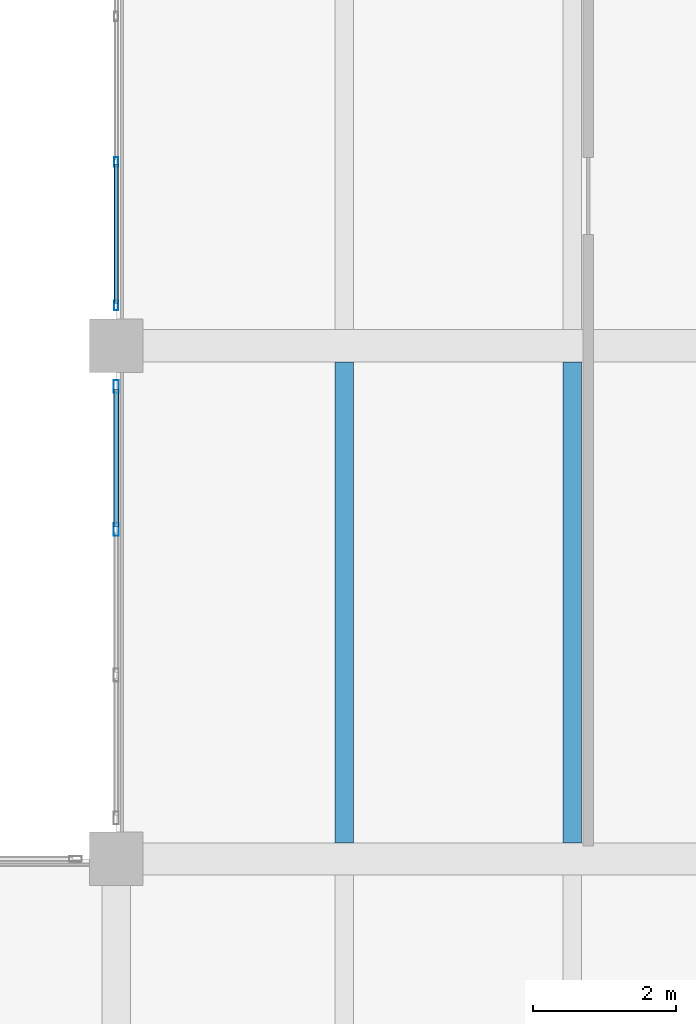
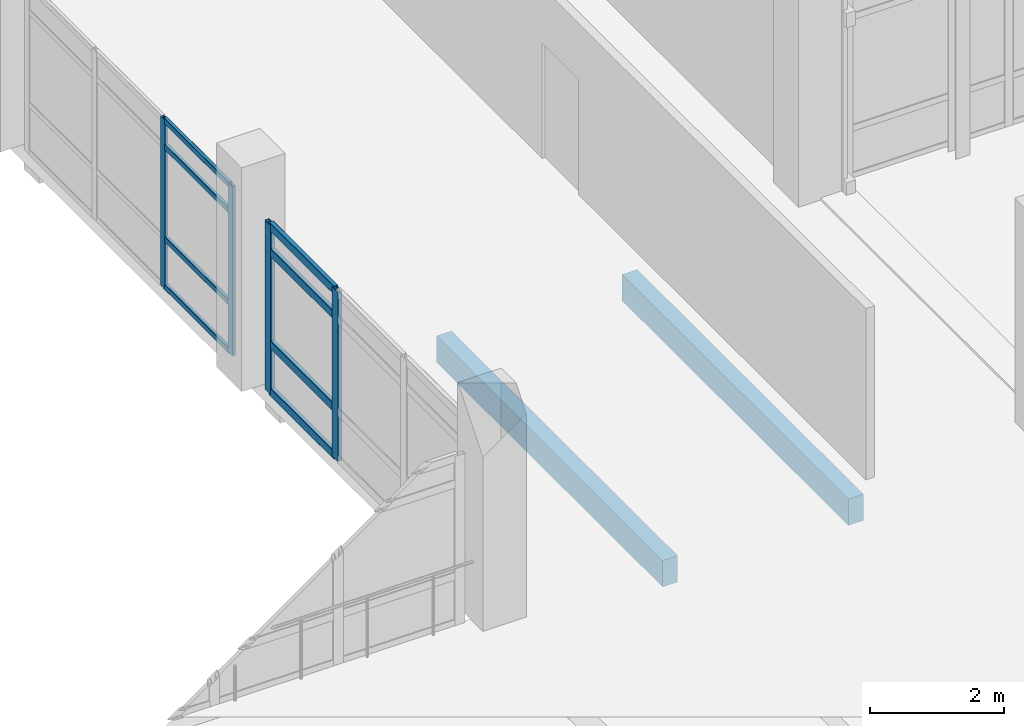
# One storey, part 103 of 180: 12 members, 2 beams, 2 elements without a shape of their own.
"""IFC4 building model written with IfcOpenShell, lengths in metres."""

from ifc_helpers import new_model, si_unit, direction, frame, origin, origin_2d, place, context, subcontext, project, spatial, rectangle, hollow_rectangle, extrude, material, layer, layer_set, material_profile, profile_set, type_object, element, aggregate, save


model = new_model("IFC4")

# Units and contexts
model_context = context("Model", 3, precision=1e-05, world=origin(), true_north=direction((0.0, 1.0)))
body_context = subcontext(model_context, "Body", "Model", "MODEL_VIEW")
ifc_project = project(units=[si_unit("LENGTHUNIT", "METRE"), si_unit("AREAUNIT", "SQUARE_METRE"), si_unit("VOLUMEUNIT", "CUBIC_METRE"), si_unit("PLANEANGLEUNIT", "RADIAN"), si_unit("MASSUNIT", "GRAM", prefix="KILO")], contexts=[model_context])

# Site, building, storey
site_placement = place(None, origin())
site = spatial("IfcSite", under=ifc_project, at=site_placement, CompositionType="ELEMENT")
building_placement = place(site_placement, origin())
building = spatial("IfcBuilding", under=site, at=building_placement, Name="Asteropetra Specialist Clinic", CompositionType="ELEMENT")
storey_placement = place(building_placement, frame((0.0, 0.0, 4.419921875)))
storey = spatial("IfcBuildingStorey", under=building, at=storey_placement, Name="L01", CompositionType="ELEMENT", Elevation=4.419921875)

# Curtain wall, members
ifc_material_1 = material(Name="Aluminium and low-E glass", Category="aluminium")
ifc_layer_1 = layer(ifc_material_1, 0.179931640625)
ifc_layer_set_1 = layer_set([ifc_layer_1], Name="Aluminium and low-E glass")
curtain_wall_type_1 = type_object("IfcCurtainWallType", Name="CW-SYS-07", PredefinedType="USERDEFINED", material=ifc_layer_set_1)
curtain_wall_1_placement = place(storey_placement, origin())
curtain_wall_1 = element("IfcCurtainWall", 1, at=curtain_wall_1_placement, inside=storey, type_object=curtain_wall_type_1, Name="Curtain Wall CW-032", ObjectType="STICK GLAZED COLONNADE", PredefinedType="USERDEFINED")
ifc_material_2 = material(Name="Aluminium 6063-T6", Category="aluminium")
ifc_material_profile_1 = material_profile(ifc_material_2, hollow_rectangle(XDim=0.06005859375, YDim=0.135009765625, WallThickness=0.00341796875, InnerFilletRadius=0.00341796875, OuterFilletRadius=0.007080078125, at=origin_2d()), Name="MUL 135x60x3.5")
ifc_profile_set_1 = profile_set([ifc_material_profile_1], Name="Aluminium 6063-T6")
member_type_1 = type_object("IfcMemberType", Name="CWM-135x60", PredefinedType="MULLION", material=ifc_profile_set_1)
member_1_placement = place(storey_placement, frame((67.199951171875, 84.56494140625, 0.0), z_axis=(0.0, 0.0, 1.0), x_axis=(-1.0, 0.0, 0.0)))
member_1 = element("IfcMember", 2, at=member_1_placement, type_object=member_type_1, Name="CW-032 mullion 1", PredefinedType="MULLION", context=body_context, shape_type="SweptSolid", body=[
    extrude(hollow_rectangle(XDim=0.06005859375, YDim=0.135009765625, WallThickness=0.00341796875, InnerFilletRadius=0.00341796875, OuterFilletRadius=0.007080078125, at=origin_2d()), origin(), (0.0, 0.0, 1.0), 3.080078125),
])
member_2_placement = place(storey_placement, frame((67.199951171875, 86.578369140625, 0.0), z_axis=(0.0, 0.0, 1.0), x_axis=(-1.0, 0.0, 0.0)))
member_2 = element("IfcMember", 3, at=member_2_placement, type_object=member_type_1, Name="CW-032 mullion 2", PredefinedType="MULLION", context=body_context, shape_type="SweptSolid", body=[
    extrude(hollow_rectangle(XDim=0.06005859375, YDim=0.135009765625, WallThickness=0.00341796875, InnerFilletRadius=0.00341796875, OuterFilletRadius=0.007080078125, at=origin_2d()), origin(), (0.0, 0.0, 1.0), 3.080078125),
])

ifc_material_3 = material(Name="Aluminium and low-E glass", Category="aluminium")
ifc_layer_2 = layer(ifc_material_3, 0.135009765625)
ifc_layer_set_2 = layer_set([ifc_layer_2], Name="Aluminium and low-E glass")
curtain_wall_type_2 = type_object("IfcCurtainWallType", Name="CW-SYS-06", PredefinedType="USERDEFINED", material=ifc_layer_set_2)
curtain_wall_2_placement = place(storey_placement, origin())
curtain_wall_2 = element("IfcCurtainWall", 4, at=curtain_wall_2_placement, inside=storey, type_object=curtain_wall_type_2, Name="Curtain Wall CW-030", ObjectType="UNITISED CURTAIN WALL", PredefinedType="USERDEFINED")
ifc_material_4 = material(Name="Aluminium 6063-T6", Category="aluminium")
ifc_material_profile_2 = material_profile(ifc_material_4, hollow_rectangle(XDim=0.074951171875, YDim=0.179931640625, WallThickness=0.00390625, InnerFilletRadius=0.00390625, OuterFilletRadius=0.008056640625, at=origin_2d()), Name="MUL 180x75x4.0")
ifc_profile_set_2 = profile_set([ifc_material_profile_2], Name="Aluminium 6063-T6")
member_type_2 = type_object("IfcMemberType", Name="CWM-180x75", PredefinedType="MULLION", material=ifc_profile_set_2)
member_3_placement = place(storey_placement, frame((67.199951171875, 81.421630859375, 0.0), z_axis=(0.0, 0.0, 1.0), x_axis=(-1.0, 0.0, 0.0)))
member_3 = element("IfcMember", 5, at=member_3_placement, type_object=member_type_2, Name="CW-030 mullion 3", PredefinedType="MULLION", context=body_context, shape_type="SweptSolid", body=[
    extrude(hollow_rectangle(XDim=0.074951171875, YDim=0.179931640625, WallThickness=0.00390625, InnerFilletRadius=0.00390625, OuterFilletRadius=0.008056640625, at=origin_2d()), origin(), (0.0, 0.0, 1.0), 3.080078125),
])
member_4_placement = place(storey_placement, frame((67.199951171875, 83.427490234375, 0.0), z_axis=(0.0, 0.0, 1.0), x_axis=(-1.0, 0.0, 0.0)))
member_4 = element("IfcMember", 6, at=member_4_placement, type_object=member_type_2, Name="CW-030 mullion 4", PredefinedType="MULLION", context=body_context, shape_type="SweptSolid", body=[
    extrude(hollow_rectangle(XDim=0.074951171875, YDim=0.179931640625, WallThickness=0.00390625, InnerFilletRadius=0.00390625, OuterFilletRadius=0.008056640625, at=origin_2d()), origin(), (0.0, 0.0, 1.0), 3.080078125),
])

# Member
ifc_material_5 = material(Name="Aluminium 6063-T6", Category="aluminium")
ifc_material_profile_3 = material_profile(ifc_material_5, hollow_rectangle(XDim=0.06005859375, YDim=0.10009765625, WallThickness=0.00341796875, InnerFilletRadius=0.00341796875, OuterFilletRadius=0.007080078125, at=origin_2d()), Name="TRN 100x60x3.5")
ifc_profile_set_3 = profile_set([ifc_material_profile_3], Name="Aluminium 6063-T6")
member_type_3 = type_object("IfcMemberType", Name="CWT-100x60", PredefinedType="USERDEFINED", material=ifc_profile_set_3)
member_5_placement = place(storey_placement, frame((67.199951171875, 84.594970703125, 0.030029296875), z_axis=(0.0, 1.0, 0.0), x_axis=(-1.0, 0.0, 0.0)))
member_5 = element("IfcMember", 7, at=member_5_placement, type_object=member_type_3, Name="CW-032 transom 1.1", ObjectType="TRANSOM", PredefinedType="USERDEFINED", context=body_context, shape_type="SweptSolid", body=[
    extrude(hollow_rectangle(XDim=0.06005859375, YDim=0.10009765625, WallThickness=0.00341796875, InnerFilletRadius=0.00341796875, OuterFilletRadius=0.007080078125, at=origin_2d()), origin(), (0.0, 0.0, 1.0), 1.953369140625),
])

member_6_placement = place(storey_placement, frame((67.199951171875, 84.594970703125, 0.900146484375), z_axis=(0.0, 1.0, 0.0), x_axis=(-1.0, 0.0, 0.0)))
member_6 = element("IfcMember", 8, at=member_6_placement, type_object=member_type_3, Name="CW-032 transom 1.2", ObjectType="TRANSOM", PredefinedType="USERDEFINED", context=body_context, shape_type="SweptSolid", body=[
    extrude(hollow_rectangle(XDim=0.06005859375, YDim=0.10009765625, WallThickness=0.00341796875, InnerFilletRadius=0.00341796875, OuterFilletRadius=0.007080078125, at=origin_2d()), origin(), (0.0, 0.0, 1.0), 1.953369140625),
])

member_7_placement = place(storey_placement, frame((67.199951171875, 84.594970703125, 2.580078125), z_axis=(0.0, 1.0, 0.0), x_axis=(-1.0, 0.0, 0.0)))
member_7 = element("IfcMember", 9, at=member_7_placement, type_object=member_type_3, Name="CW-032 transom 1.3", ObjectType="TRANSOM", PredefinedType="USERDEFINED", context=body_context, shape_type="SweptSolid", body=[
    extrude(hollow_rectangle(XDim=0.06005859375, YDim=0.10009765625, WallThickness=0.00341796875, InnerFilletRadius=0.00341796875, OuterFilletRadius=0.007080078125, at=origin_2d()), origin(), (0.0, 0.0, 1.0), 1.953369140625),
])

member_8_placement = place(storey_placement, frame((67.199951171875, 84.594970703125, 3.050048828125), z_axis=(0.0, 1.0, 0.0), x_axis=(-1.0, 0.0, 0.0)))
member_8 = element("IfcMember", 10, at=member_8_placement, type_object=member_type_3, Name="CW-032 transom 1.4", ObjectType="TRANSOM", PredefinedType="USERDEFINED", context=body_context, shape_type="SweptSolid", body=[
    extrude(hollow_rectangle(XDim=0.06005859375, YDim=0.10009765625, WallThickness=0.00341796875, InnerFilletRadius=0.00341796875, OuterFilletRadius=0.007080078125, at=origin_2d()), origin(), (0.0, 0.0, 1.0), 1.953369140625),
])

aggregate(curtain_wall_1, [member_1, member_2, member_5, member_6, member_7, member_8])

ifc_material_6 = material(Name="Aluminium 6063-T6", Category="aluminium")
ifc_material_profile_4 = material_profile(ifc_material_6, hollow_rectangle(XDim=0.074951171875, YDim=0.14990234375, WallThickness=0.00390625, InnerFilletRadius=0.00390625, OuterFilletRadius=0.008056640625, at=origin_2d()), Name="TRN 150x75x4.0")
ifc_profile_set_4 = profile_set([ifc_material_profile_4], Name="Aluminium 6063-T6")
member_type_4 = type_object("IfcMemberType", Name="CWT-150x75", PredefinedType="USERDEFINED", material=ifc_profile_set_4)
member_9_placement = place(storey_placement, frame((67.199951171875, 81.459228515625, 0.03759765625), z_axis=(0.0, 1.0, 0.0), x_axis=(-1.0, 0.0, 0.0)))
member_9 = element("IfcMember", 11, at=member_9_placement, type_object=member_type_4, Name="CW-030 transom 3.1", ObjectType="TRANSOM", PredefinedType="USERDEFINED", context=body_context, shape_type="SweptSolid", body=[
    extrude(hollow_rectangle(XDim=0.074951171875, YDim=0.14990234375, WallThickness=0.00390625, InnerFilletRadius=0.00390625, OuterFilletRadius=0.008056640625, at=origin_2d()), origin(), (0.0, 0.0, 1.0), 1.9306640625),
])

member_10_placement = place(storey_placement, frame((67.199951171875, 81.459228515625, 0.900146484375), z_axis=(0.0, 1.0, 0.0), x_axis=(-1.0, 0.0, 0.0)))
member_10 = element("IfcMember", 12, at=member_10_placement, type_object=member_type_4, Name="CW-030 transom 3.2", ObjectType="TRANSOM", PredefinedType="USERDEFINED", context=body_context, shape_type="SweptSolid", body=[
    extrude(hollow_rectangle(XDim=0.074951171875, YDim=0.14990234375, WallThickness=0.00390625, InnerFilletRadius=0.00390625, OuterFilletRadius=0.008056640625, at=origin_2d()), origin(), (0.0, 0.0, 1.0), 1.9306640625),
])

member_11_placement = place(storey_placement, frame((67.199951171875, 81.459228515625, 2.580078125), z_axis=(0.0, 1.0, 0.0), x_axis=(-1.0, 0.0, 0.0)))
member_11 = element("IfcMember", 13, at=member_11_placement, type_object=member_type_4, Name="CW-030 transom 3.3", ObjectType="TRANSOM", PredefinedType="USERDEFINED", context=body_context, shape_type="SweptSolid", body=[
    extrude(hollow_rectangle(XDim=0.074951171875, YDim=0.14990234375, WallThickness=0.00390625, InnerFilletRadius=0.00390625, OuterFilletRadius=0.008056640625, at=origin_2d()), origin(), (0.0, 0.0, 1.0), 1.9306640625),
])

member_12_placement = place(storey_placement, frame((67.199951171875, 81.459228515625, 3.04248046875), z_axis=(0.0, 1.0, 0.0), x_axis=(-1.0, 0.0, 0.0)))
member_12 = element("IfcMember", 14, at=member_12_placement, type_object=member_type_4, Name="CW-030 transom 3.4", ObjectType="TRANSOM", PredefinedType="USERDEFINED", context=body_context, shape_type="SweptSolid", body=[
    extrude(hollow_rectangle(XDim=0.074951171875, YDim=0.14990234375, WallThickness=0.00390625, InnerFilletRadius=0.00390625, OuterFilletRadius=0.008056640625, at=origin_2d()), origin(), (0.0, 0.0, 1.0), 1.9306640625),
])

aggregate(curtain_wall_2, [member_3, member_4, member_9, member_10, member_11, member_12])

# Beams
ifc_material_7 = material(Name="Concrete C35/45", Category="concrete")
ifc_material_profile_5 = material_profile(ifc_material_7, rectangle(XDim=0.260009765625, YDim=0.47998046875, at=origin_2d()), Name="RCJ 260x480")
ifc_profile_set_5 = profile_set([ifc_material_profile_5], Name="Concrete C35/45")
beam_type = type_object("IfcBeamType", Name="JST-RC260x480", PredefinedType="JOIST", material=ifc_profile_set_5)
for number, where, z_axis, x_axis, name in (
    (15, (70.39990234375, 77.02490234375, -0.52001953125), (0.0, 1.0, 0.0), (-1.0, 0.0, 0.0), "Joist JJST02-0694"),
    (16, (73.60009765625, 77.02490234375, -0.52001953125), (0.0, 1.0, 0.0), (-1.0, 0.0, 0.0), "Joist JJST02-0695"),
):
    element("IfcBeam", number, at=place(storey_placement, frame(where, z_axis=z_axis, x_axis=x_axis)), inside=storey, type_object=beam_type, Name=name, PredefinedType="JOIST", context=body_context, shape_type="SweptSolid", body=[
        extrude(rectangle(XDim=0.260009765625, YDim=0.47998046875, at=origin_2d()), origin(), (0.0, 0.0, 1.0), 6.75),
    ])

save(model, "model.ifc")
